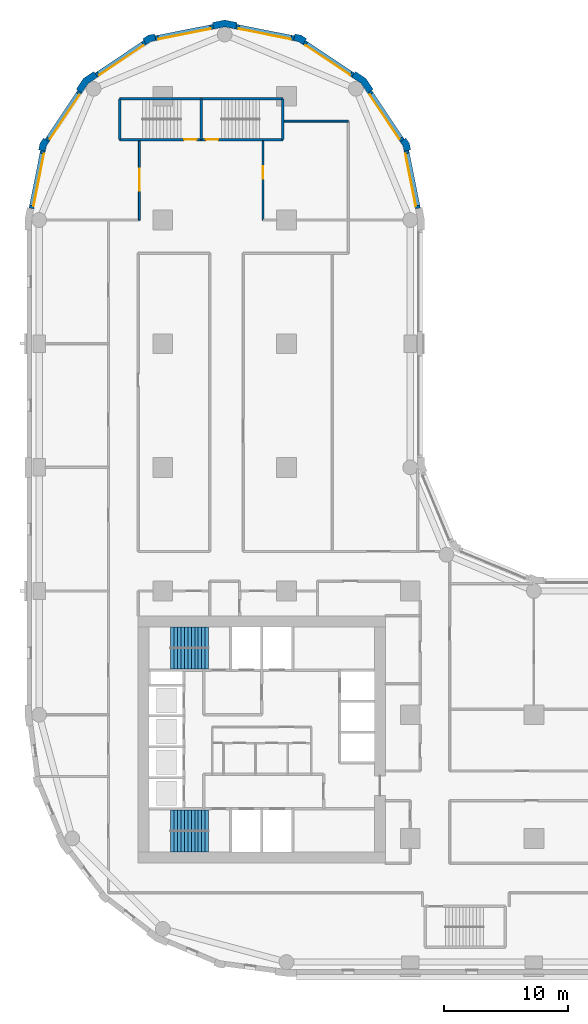
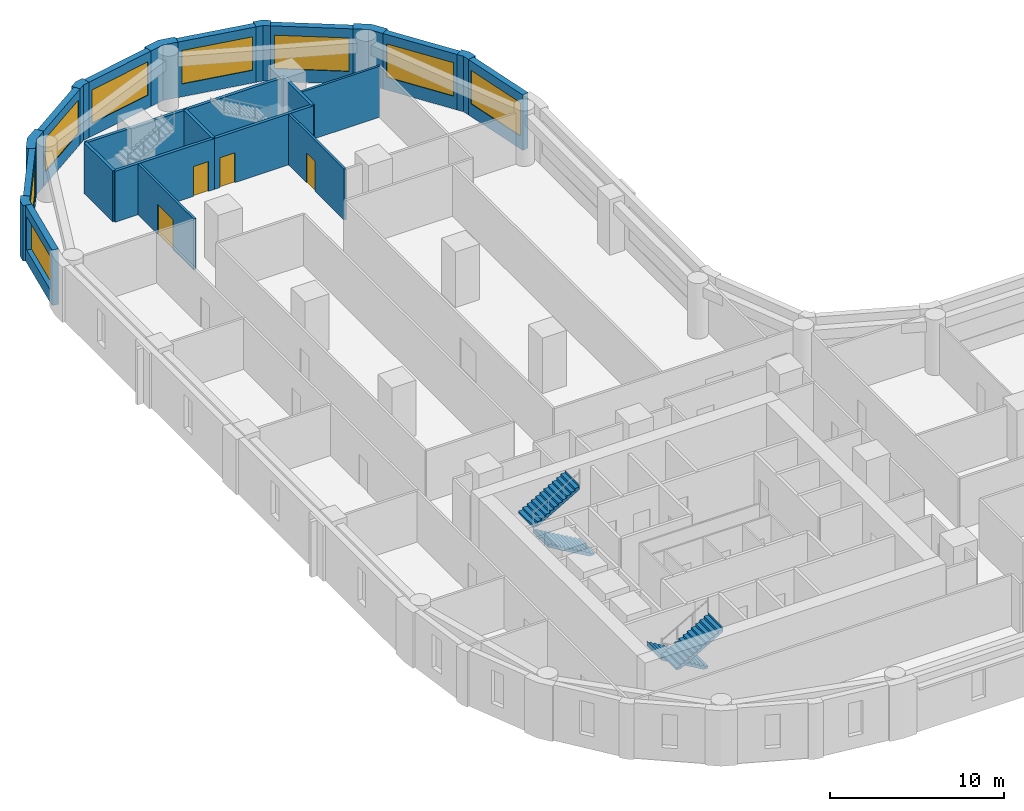
# One storey, part 7 of 10: 25 walls, 8 windows, 4 doors, 4 stair flights, 12 openings, 2 elements without a shape of their own.
"""IFC4 building model written with IfcOpenShell, lengths in metres."""

from ifc_helpers import new_model, si_unit, direction, frame, frame_2d, origin, place, context, subcontext, project, spatial, polyline, rectangle, outline, extrude, material, layer, layer_set, type_object, element, fill, aggregate, save


model = new_model("IFC4")

# Units and contexts
model_context = context("Model", 3, precision=1e-05, world=origin(), true_north=direction((0.0, 1.0)))
body_context = subcontext(model_context, "Body", "Model", "MODEL_VIEW")
ifc_project = project(units=[si_unit("LENGTHUNIT", "METRE"), si_unit("AREAUNIT", "SQUARE_METRE"), si_unit("VOLUMEUNIT", "CUBIC_METRE"), si_unit("PLANEANGLEUNIT", "RADIAN"), si_unit("MASSUNIT", "GRAM", prefix="KILO")], contexts=[model_context])

# Site, building, storey
site_placement = place(None, origin())
site = spatial("IfcSite", under=ifc_project, at=site_placement, CompositionType="ELEMENT")
building_placement = place(site_placement, origin())
building = spatial("IfcBuilding", under=site, at=building_placement, Name="Qaws Garden Tower", CompositionType="ELEMENT")
storey_placement = place(building_placement, frame((0.0, 0.0, 74.39990234375)))
storey = spatial("IfcBuildingStorey", under=building, at=storey_placement, Name="L18", CompositionType="ELEMENT", Elevation=74.39990234375)

# Wall, opening, window
ifc_material_1 = material(Name="Clay facing brick masonry", Category="masonry")
ifc_layer_1 = layer(ifc_material_1, 0.39990234375)
ifc_layer_set_1 = layer_set([ifc_layer_1], Name="Clay facing brick masonry")
wall_type_1 = type_object("IfcWallType", Name="Brick infill wall 400", PredefinedType="SOLIDWALL", material=ifc_layer_set_1)
wall_1_placement = place(storey_placement, frame((30.628662109375, 60.940673828125, 0.0), z_axis=(0.0, 0.0, 1.0), x_axis=(-0.195098533057, 0.98078364709, 0.0)))
wall_1 = element("IfcWall", 1, at=wall_1_placement, inside=storey, type_object=wall_type_1, Name="E-L18-infill-15", PredefinedType="SOLIDWALL", context=body_context, shape_type="SweptSolid", body=[
    extrude(rectangle(XDim=4.752685546875, YDim=0.39990234375, at=frame_2d((2.37646484375, 0.0))), origin(), (0.0, 0.0, 1.0), 3.900146484375),
])
opening_1_placement = place(wall_1_placement, frame((0.226318359375, 0.0, 0.89990234375)))
opening_1 = element("IfcOpeningElement", 2, at=opening_1_placement, cuts=wall_1, Name="Opening W06", PredefinedType="OPENING", context=body_context, shape_type="SweptSolid", body=[
    extrude(rectangle(XDim=4.300048828125, YDim=2.35009765625, at=frame_2d((2.14990234375, 1.175048828125))), frame((0.0, 0.2099609375, 0.0), z_axis=(0.0, -1.0, 0.0), x_axis=(1.0, 0.0, 0.0)), (0.0, 0.0, 1.0), 0.419921875),
])
ifc_material_2 = material(Name="Aluminium framed window, clear glazing", Category="aluminium")
window_type = type_object("IfcWindowType", Name="Ribbon window 4300 x 2350", PartitioningType="DOUBLE_PANEL_VERTICAL", PredefinedType="WINDOW", material=ifc_material_2)
window_1_placement = place(opening_1_placement, origin())
window_1 = element("IfcWindow", 3, at=window_1_placement, inside=storey, type_object=window_type, Name="E-L18-window-15-0", OverallHeight=2.35009765625, OverallWidth=4.300048828125, PartitioningType="SINGLE_PANEL", PredefinedType="WINDOW", context=body_context, shape_type="SweptSolid", body=[
    extrude(rectangle(XDim=4.300048828125, YDim=2.35009765625, at=frame_2d((2.14990234375, 1.175048828125))), frame((0.0, 0.159912109375, 0.0), z_axis=(0.0, -1.0, 0.0), x_axis=(1.0, 0.0, 0.0)), (0.0, 0.0, 1.0), 0.06005859375),
])
fill(opening_1, window_1)

wall_2_placement = place(storey_placement, frame((29.356689453125, 66.43408203125, 0.0), z_axis=(0.0, 0.0, 1.0), x_axis=(-0.555541552266, 0.831488775454, 0.0)))
wall_2 = element("IfcWall", 4, at=wall_2_placement, inside=storey, type_object=wall_type_1, Name="E-L18-infill-16", PredefinedType="SOLIDWALL", context=body_context, shape_type="SweptSolid", body=[
    extrude(rectangle(XDim=4.752685546875, YDim=0.39990234375, at=frame_2d((2.37646484375, 0.0))), origin(), (0.0, 0.0, 1.0), 3.900146484375),
])
opening_2_placement = place(wall_2_placement, frame((0.226318359375, 0.0, 0.89990234375)))
opening_2 = element("IfcOpeningElement", 5, at=opening_2_placement, cuts=wall_2, Name="Opening W06", PredefinedType="OPENING", context=body_context, shape_type="SweptSolid", body=[
    extrude(rectangle(XDim=4.300048828125, YDim=2.35009765625, at=frame_2d((2.14990234375, 1.175048828125))), frame((0.0, 0.2099609375, 0.0), z_axis=(0.0, -1.0, 0.0), x_axis=(1.0, 0.0, 0.0)), (0.0, 0.0, 1.0), 0.419921875),
])
window_2_placement = place(opening_2_placement, origin())
window_2 = element("IfcWindow", 6, at=window_2_placement, inside=storey, type_object=window_type, Name="E-L18-window-16-0", OverallHeight=2.35009765625, OverallWidth=4.300048828125, PartitioningType="SINGLE_PANEL", PredefinedType="WINDOW", context=body_context, shape_type="SweptSolid", body=[
    extrude(rectangle(XDim=4.300048828125, YDim=2.35009765625, at=frame_2d((2.14990234375, 1.175048828125))), frame((0.0, 0.159912109375, 0.0), z_axis=(0.0, -1.0, 0.0), x_axis=(1.0, 0.0, 0.0)), (0.0, 0.0, 1.0), 0.06005859375),
])
fill(opening_2, window_2)

wall_3_placement = place(storey_placement, frame((25.385986328125, 71.71630859375, 0.0), z_axis=(0.0, 0.0, 1.0), x_axis=(-0.831488775454, 0.555541552266, 0.0)))
wall_3 = element("IfcWall", 7, at=wall_3_placement, inside=storey, type_object=wall_type_1, Name="E-L18-infill-17", PredefinedType="SOLIDWALL", context=body_context, shape_type="SweptSolid", body=[
    extrude(rectangle(XDim=4.752685546875, YDim=0.39990234375, at=frame_2d((2.37646484375, 0.0))), origin(), (0.0, 0.0, 1.0), 3.900146484375),
])
opening_3_placement = place(wall_3_placement, frame((0.226318359375, 0.0, 0.89990234375)))
opening_3 = element("IfcOpeningElement", 8, at=opening_3_placement, cuts=wall_3, Name="Opening W06", PredefinedType="OPENING", context=body_context, shape_type="SweptSolid", body=[
    extrude(rectangle(XDim=4.300048828125, YDim=2.35009765625, at=frame_2d((2.14990234375, 1.175048828125))), frame((0.0, 0.2099609375, 0.0), z_axis=(0.0, -1.0, 0.0), x_axis=(1.0, 0.0, 0.0)), (0.0, 0.0, 1.0), 0.419921875),
])
window_3_placement = place(opening_3_placement, origin())
window_3 = element("IfcWindow", 9, at=window_3_placement, inside=storey, type_object=window_type, Name="E-L18-window-17-0", OverallHeight=2.35009765625, OverallWidth=4.300048828125, PartitioningType="SINGLE_PANEL", PredefinedType="WINDOW", context=body_context, shape_type="SweptSolid", body=[
    extrude(rectangle(XDim=4.300048828125, YDim=2.35009765625, at=frame_2d((2.14990234375, 1.175048828125))), frame((0.0, 0.159912109375, 0.0), z_axis=(0.0, -1.0, 0.0), x_axis=(1.0, 0.0, 0.0)), (0.0, 0.0, 1.0), 0.06005859375),
])
fill(opening_3, window_3)

wall_4_placement = place(storey_placement, frame((20.60205078125, 74.701416015625, 0.0), z_axis=(0.0, 0.0, 1.0), x_axis=(-0.98078364709, 0.195098533057, 0.0)))
wall_4 = element("IfcWall", 10, at=wall_4_placement, inside=storey, type_object=wall_type_1, Name="E-L18-infill-18", PredefinedType="SOLIDWALL", context=body_context, shape_type="SweptSolid", body=[
    extrude(rectangle(XDim=4.752685546875, YDim=0.39990234375, at=frame_2d((2.37646484375, 0.0))), origin(), (0.0, 0.0, 1.0), 3.900146484375),
])
opening_4_placement = place(wall_4_placement, frame((0.226318359375, 0.0, 0.89990234375)))
opening_4 = element("IfcOpeningElement", 11, at=opening_4_placement, cuts=wall_4, Name="Opening W06", PredefinedType="OPENING", context=body_context, shape_type="SweptSolid", body=[
    extrude(rectangle(XDim=4.300048828125, YDim=2.35009765625, at=frame_2d((2.14990234375, 1.175048828125))), frame((0.0, 0.2099609375, 0.0), z_axis=(0.0, -1.0, 0.0), x_axis=(1.0, 0.0, 0.0)), (0.0, 0.0, 1.0), 0.419921875),
])
window_4_placement = place(opening_4_placement, origin())
window_4 = element("IfcWindow", 12, at=window_4_placement, inside=storey, type_object=window_type, Name="E-L18-window-18-0", OverallHeight=2.35009765625, OverallWidth=4.300048828125, PartitioningType="SINGLE_PANEL", PredefinedType="WINDOW", context=body_context, shape_type="SweptSolid", body=[
    extrude(rectangle(XDim=4.300048828125, YDim=2.35009765625, at=frame_2d((2.14990234375, 1.175048828125))), frame((0.0, 0.159912109375, 0.0), z_axis=(0.0, -1.0, 0.0), x_axis=(1.0, 0.0, 0.0)), (0.0, 0.0, 1.0), 0.06005859375),
])
fill(opening_4, window_4)

wall_5_placement = place(storey_placement, frame((14.059326171875, 75.628662109375, 0.0), z_axis=(0.0, 0.0, 1.0), x_axis=(-0.98078364709, -0.195098533057, 0.0)))
wall_5 = element("IfcWall", 13, at=wall_5_placement, inside=storey, type_object=wall_type_1, Name="E-L18-infill-19", PredefinedType="SOLIDWALL", context=body_context, shape_type="SweptSolid", body=[
    extrude(rectangle(XDim=4.752685546875, YDim=0.39990234375, at=frame_2d((2.37646484375, 0.0))), origin(), (0.0, 0.0, 1.0), 3.900146484375),
])
opening_5_placement = place(wall_5_placement, frame((0.226318359375, 0.0, 0.89990234375)))
opening_5 = element("IfcOpeningElement", 14, at=opening_5_placement, cuts=wall_5, Name="Opening W06", PredefinedType="OPENING", context=body_context, shape_type="SweptSolid", body=[
    extrude(rectangle(XDim=4.300048828125, YDim=2.35009765625, at=frame_2d((2.14990234375, 1.175048828125))), frame((0.0, 0.2099609375, 0.0), z_axis=(0.0, -1.0, 0.0), x_axis=(1.0, 0.0, 0.0)), (0.0, 0.0, 1.0), 0.419921875),
])
window_5_placement = place(opening_5_placement, origin())
window_5 = element("IfcWindow", 15, at=window_5_placement, inside=storey, type_object=window_type, Name="E-L18-window-19-0", OverallHeight=2.35009765625, OverallWidth=4.300048828125, PartitioningType="SINGLE_PANEL", PredefinedType="WINDOW", context=body_context, shape_type="SweptSolid", body=[
    extrude(rectangle(XDim=4.300048828125, YDim=2.35009765625, at=frame_2d((2.14990234375, 1.175048828125))), frame((0.0, 0.159912109375, 0.0), z_axis=(0.0, -1.0, 0.0), x_axis=(1.0, 0.0, 0.0)), (0.0, 0.0, 1.0), 0.06005859375),
])
fill(opening_5, window_5)

wall_6_placement = place(storey_placement, frame((8.56591796875, 74.356689453125, 0.0), z_axis=(0.0, 0.0, 1.0), x_axis=(-0.831488775454, -0.555541552266, 0.0)))
wall_6 = element("IfcWall", 16, at=wall_6_placement, inside=storey, type_object=wall_type_1, Name="E-L18-infill-20", PredefinedType="SOLIDWALL", context=body_context, shape_type="SweptSolid", body=[
    extrude(rectangle(XDim=4.752685546875, YDim=0.39990234375, at=frame_2d((2.37646484375, 0.0))), origin(), (0.0, 0.0, 1.0), 3.900146484375),
])
opening_6_placement = place(wall_6_placement, frame((0.226318359375, 0.0, 0.89990234375)))
opening_6 = element("IfcOpeningElement", 17, at=opening_6_placement, cuts=wall_6, Name="Opening W06", PredefinedType="OPENING", context=body_context, shape_type="SweptSolid", body=[
    extrude(rectangle(XDim=4.300048828125, YDim=2.35009765625, at=frame_2d((2.14990234375, 1.175048828125))), frame((0.0, 0.2099609375, 0.0), z_axis=(0.0, -1.0, 0.0), x_axis=(1.0, 0.0, 0.0)), (0.0, 0.0, 1.0), 0.419921875),
])
window_6_placement = place(opening_6_placement, origin())
window_6 = element("IfcWindow", 18, at=window_6_placement, inside=storey, type_object=window_type, Name="E-L18-window-20-0", OverallHeight=2.35009765625, OverallWidth=4.300048828125, PartitioningType="SINGLE_PANEL", PredefinedType="WINDOW", context=body_context, shape_type="SweptSolid", body=[
    extrude(rectangle(XDim=4.300048828125, YDim=2.35009765625, at=frame_2d((2.14990234375, 1.175048828125))), frame((0.0, 0.159912109375, 0.0), z_axis=(0.0, -1.0, 0.0), x_axis=(1.0, 0.0, 0.0)), (0.0, 0.0, 1.0), 0.06005859375),
])
fill(opening_6, window_6)

wall_7_placement = place(storey_placement, frame((3.28369140625, 70.385986328125, 0.0), z_axis=(0.0, 0.0, 1.0), x_axis=(-0.555541552266, -0.831488775454, 0.0)))
wall_7 = element("IfcWall", 19, at=wall_7_placement, inside=storey, type_object=wall_type_1, Name="E-L18-infill-21", PredefinedType="SOLIDWALL", context=body_context, shape_type="SweptSolid", body=[
    extrude(rectangle(XDim=4.752685546875, YDim=0.39990234375, at=frame_2d((2.37646484375, 0.0))), origin(), (0.0, 0.0, 1.0), 3.900146484375),
])
opening_7_placement = place(wall_7_placement, frame((0.226318359375, 0.0, 0.89990234375)))
opening_7 = element("IfcOpeningElement", 20, at=opening_7_placement, cuts=wall_7, Name="Opening W06", PredefinedType="OPENING", context=body_context, shape_type="SweptSolid", body=[
    extrude(rectangle(XDim=4.300048828125, YDim=2.35009765625, at=frame_2d((2.14990234375, 1.175048828125))), frame((0.0, 0.2099609375, 0.0), z_axis=(0.0, -1.0, 0.0), x_axis=(1.0, 0.0, 0.0)), (0.0, 0.0, 1.0), 0.419921875),
])
window_7_placement = place(opening_7_placement, origin())
window_7 = element("IfcWindow", 21, at=window_7_placement, inside=storey, type_object=window_type, Name="E-L18-window-21-0", OverallHeight=2.35009765625, OverallWidth=4.300048828125, PartitioningType="SINGLE_PANEL", PredefinedType="WINDOW", context=body_context, shape_type="SweptSolid", body=[
    extrude(rectangle(XDim=4.300048828125, YDim=2.35009765625, at=frame_2d((2.14990234375, 1.175048828125))), frame((0.0, 0.159912109375, 0.0), z_axis=(0.0, -1.0, 0.0), x_axis=(1.0, 0.0, 0.0)), (0.0, 0.0, 1.0), 0.06005859375),
])
fill(opening_7, window_7)

wall_8_placement = place(storey_placement, frame((0.298583984375, 65.60205078125, 0.0), z_axis=(0.0, 0.0, 1.0), x_axis=(-0.195098533057, -0.98078364709, 0.0)))
wall_8 = element("IfcWall", 22, at=wall_8_placement, inside=storey, type_object=wall_type_1, Name="E-L18-infill-22", PredefinedType="SOLIDWALL", context=body_context, shape_type="SweptSolid", body=[
    extrude(rectangle(XDim=4.752685546875, YDim=0.39990234375, at=frame_2d((2.37646484375, 0.0))), origin(), (0.0, 0.0, 1.0), 3.900146484375),
])
opening_8_placement = place(wall_8_placement, frame((0.226318359375, 0.0, 0.89990234375)))
opening_8 = element("IfcOpeningElement", 23, at=opening_8_placement, cuts=wall_8, Name="Opening W06", PredefinedType="OPENING", context=body_context, shape_type="SweptSolid", body=[
    extrude(rectangle(XDim=4.300048828125, YDim=2.35009765625, at=frame_2d((2.14990234375, 1.175048828125))), frame((0.0, 0.2099609375, 0.0), z_axis=(0.0, -1.0, 0.0), x_axis=(1.0, 0.0, 0.0)), (0.0, 0.0, 1.0), 0.419921875),
])
window_8_placement = place(opening_8_placement, origin())
window_8 = element("IfcWindow", 24, at=window_8_placement, inside=storey, type_object=window_type, Name="E-L18-window-22-0", OverallHeight=2.35009765625, OverallWidth=4.300048828125, PartitioningType="SINGLE_PANEL", PredefinedType="WINDOW", context=body_context, shape_type="SweptSolid", body=[
    extrude(rectangle(XDim=4.300048828125, YDim=2.35009765625, at=frame_2d((2.14990234375, 1.175048828125))), frame((0.0, 0.159912109375, 0.0), z_axis=(0.0, -1.0, 0.0), x_axis=(1.0, 0.0, 0.0)), (0.0, 0.0, 1.0), 0.06005859375),
])
fill(opening_8, window_8)

# Walls
ifc_material_3 = material(Name="Clay facing brick masonry", Category="masonry")
ifc_layer_2 = layer(ifc_material_3, 0.550048828125)
ifc_layer_set_2 = layer_set([ifc_layer_2], Name="Clay facing brick masonry")
wall_type_2 = type_object("IfcWallType", Name="Brick kink pier 550 x 600", PredefinedType="SOLIDWALL", material=ifc_layer_set_2)
placement = place(storey_placement, origin())
element("IfcWall", 25, at=placement, inside=storey, type_object=wall_type_2, Name="E-L18-pier-16", PredefinedType="SOLIDWALL", context=body_context, shape_type="SweptSolid", body=[
    extrude(outline(polyline([(29.8974609375, 65.64111328125), (30.044677734375, 65.67041015625), (29.94140625, 66.18896484375), (29.647705078125, 66.628662109375), (29.52294921875, 66.545166015625), (29.1904296875, 66.322998046875), (29.42333984375, 65.974365234375), (29.505126953125, 65.56298828125), (29.8974609375, 65.64111328125)])), origin(), (0.0, 0.0, 1.0), 3.900146484375),
])
element("IfcWall", 26, at=placement, inside=storey, type_object=wall_type_2, Name="E-L18-pier-18", PredefinedType="SOLIDWALL", context=body_context, shape_type="SweptSolid", body=[
    extrude(outline(polyline([(21.545166015625, 74.52294921875), (21.628662109375, 74.647705078125), (21.18896484375, 74.94140625), (20.67041015625, 75.044677734375), (20.64111328125, 74.8974609375), (20.56298828125, 74.505126953125), (20.974365234375, 74.42333984375), (21.322998046875, 74.1904296875), (21.545166015625, 74.52294921875)])), origin(), (0.0, 0.0, 1.0), 3.900146484375),
])
element("IfcWall", 27, at=placement, inside=storey, type_object=wall_type_2, Name="E-L18-pier-20", PredefinedType="SOLIDWALL", context=body_context, shape_type="SweptSolid", body=[
    extrude(outline(polyline([(9.35888671875, 74.8974609375), (9.32958984375, 75.044677734375), (8.81103515625, 74.94140625), (8.371337890625, 74.647705078125), (8.454833984375, 74.52294921875), (8.677001953125, 74.1904296875), (9.025634765625, 74.42333984375), (9.43701171875, 74.505126953125), (9.35888671875, 74.8974609375)])), origin(), (0.0, 0.0, 1.0), 3.900146484375),
])
element("IfcWall", 28, at=placement, inside=storey, type_object=wall_type_2, Name="E-L18-pier-22", PredefinedType="SOLIDWALL", context=body_context, shape_type="SweptSolid", body=[
    extrude(outline(polyline([(0.47705078125, 66.545166015625), (0.352294921875, 66.628662109375), (0.05859375, 66.18896484375), (-0.044677734375, 65.67041015625), (0.1025390625, 65.64111328125), (0.494873046875, 65.56298828125), (0.57666015625, 65.974365234375), (0.8095703125, 66.322998046875), (0.47705078125, 66.545166015625)])), origin(), (0.0, 0.0, 1.0), 3.900146484375),
])
ifc_material_4 = material(Name="Clay facing brick masonry", Category="masonry")
ifc_layer_3 = layer(ifc_material_4, 0.550048828125)
ifc_layer_set_3 = layer_set([ifc_layer_3], Name="Clay facing brick masonry")
wall_type_3 = type_object("IfcWallType", Name="Brick pier 550 x 1600", PredefinedType="SOLIDWALL", material=ifc_layer_set_3)
element("IfcWall", 29, at=placement, inside=storey, type_object=wall_type_3, Name="E-L18-pier-17", PredefinedType="SOLIDWALL", context=body_context, shape_type="SweptSolid", body=[
    extrude(outline(polyline([(26.882568359375, 70.4970703125), (27.00732421875, 70.580322265625), (26.435791015625, 71.435791015625), (25.580322265625, 72.00732421875), (25.4970703125, 71.882568359375), (25.274658203125, 71.550048828125), (26.0390625, 71.0390625), (26.550048828125, 70.274658203125), (26.882568359375, 70.4970703125)])), origin(), (0.0, 0.0, 1.0), 3.900146484375),
])
element("IfcWall", 30, at=placement, inside=storey, type_object=wall_type_3, Name="E-L18-pier-19", PredefinedType="SOLIDWALL", context=body_context, shape_type="SweptSolid", body=[
    extrude(outline(polyline([(15.979736328125, 75.82470703125), (16.009033203125, 75.971923828125), (15.0, 76.172607421875), (13.990966796875, 75.971923828125), (14.020263671875, 75.82470703125), (14.098388671875, 75.432373046875), (15.0, 75.61181640625), (15.901611328125, 75.432373046875), (15.979736328125, 75.82470703125)])), origin(), (0.0, 0.0, 1.0), 3.900146484375),
])
element("IfcWall", 31, at=placement, inside=storey, type_object=wall_type_3, Name="E-L18-pier-21", PredefinedType="SOLIDWALL", context=body_context, shape_type="SweptSolid", body=[
    extrude(outline(polyline([(4.5029296875, 71.882568359375), (4.419677734375, 72.00732421875), (3.564208984375, 71.435791015625), (2.99267578125, 70.580322265625), (3.117431640625, 70.4970703125), (3.449951171875, 70.274658203125), (3.9609375, 71.0390625), (4.725341796875, 71.550048828125), (4.5029296875, 71.882568359375)])), origin(), (0.0, 0.0, 1.0), 3.900146484375),
])

# Wall, opening, door
ifc_material_5 = material(Name="Concrete C80", Category="concrete")
ifc_layer_4 = layer(ifc_material_5, 0.199951171875)
ifc_layer_set_4 = layer_set([ifc_layer_4], Name="Concrete C80")
wall_type_4 = type_object("IfcWallType", Name="Core shaft wall 200 C80", PredefinedType="SHEAR", material=ifc_layer_set_4)
wall_16_placement = place(storey_placement, frame((6.5, 66.5, 0.0), z_axis=(0.0, 0.0, 1.0), x_axis=(1.0, 0.0, 0.0)))
wall_16 = element("IfcWall", 32, at=wall_16_placement, inside=storey, type_object=wall_type_4, Name="Shaft wall", PredefinedType="SHEAR", context=body_context, shape_type="SweptSolid", body=[
    extrude(rectangle(XDim=6.60009765625, YDim=0.199951171875, at=frame_2d((3.300048828125, 0.0))), origin(), (0.0, 0.0, 1.0), 3.580078125),
])
opening_9_placement = place(wall_16_placement, frame((5.22509765625, 0.0, 0.0)))
opening_9 = element("IfcOpeningElement", 33, at=opening_9_placement, cuts=wall_16, Name="Opening SD13", PredefinedType="OPENING", context=body_context, shape_type="SweptSolid", body=[
    extrude(rectangle(XDim=1.0, YDim=2.10009765625, at=frame_2d((0.5, 1.050048828125))), frame((0.0, 0.10986328125, 0.0), z_axis=(0.0, -1.0, 0.0), x_axis=(1.0, 0.0, 0.0)), (0.0, 0.0, 1.0), 0.219970703125),
])
ifc_material_6 = material(Name="Steel S235", Category="steel")
door_type_1 = type_object("IfcDoorType", Name="Stair door 1000x2100", OperationType="SINGLE_SWING_RIGHT", PredefinedType="DOOR", material=ifc_material_6)
door_1_placement = place(opening_9_placement, origin())
door_1 = element("IfcDoor", 34, at=door_1_placement, inside=storey, type_object=door_type_1, Name="Stair 6 door", OperationType="SINGLE_SWING_RIGHT", OverallHeight=2.10009765625, OverallWidth=1.0, PredefinedType="DOOR", context=body_context, shape_type="SweptSolid", body=[
    extrude(rectangle(XDim=1.0, YDim=2.10009765625, at=frame_2d((0.5, 1.050048828125))), frame((0.0, 0.02490234375, 0.0), z_axis=(0.0, -1.0, 0.0), x_axis=(1.0, 0.0, 0.0)), (0.0, 0.0, 1.0), 0.050048828125),
])
fill(opening_9, door_1)

wall_17_placement = place(storey_placement, frame((13.10009765625, 66.5, 0.0), z_axis=(0.0, 0.0, 1.0), x_axis=(1.0, 0.0, 0.0)))
wall_17 = element("IfcWall", 35, at=wall_17_placement, inside=storey, type_object=wall_type_4, Name="Shaft wall", PredefinedType="SHEAR", context=body_context, shape_type="SweptSolid", body=[
    extrude(rectangle(XDim=6.599853515625, YDim=0.199951171875, at=frame_2d((3.2998046875, 0.0))), origin(), (0.0, 0.0, 1.0), 3.580078125),
])
opening_10_placement = place(wall_17_placement, frame((0.375, 0.0, 0.0)))
opening_10 = element("IfcOpeningElement", 36, at=opening_10_placement, cuts=wall_17, Name="Opening SD14", PredefinedType="OPENING", context=body_context, shape_type="SweptSolid", body=[
    extrude(rectangle(XDim=1.0, YDim=2.10009765625, at=frame_2d((0.5, 1.050048828125))), frame((0.0, 0.10986328125, 0.0), z_axis=(0.0, -1.0, 0.0), x_axis=(1.0, 0.0, 0.0)), (0.0, 0.0, 1.0), 0.219970703125),
])
door_2_placement = place(opening_10_placement, origin())
door_2 = element("IfcDoor", 37, at=door_2_placement, inside=storey, type_object=door_type_1, Name="Stair 7 door", OperationType="SINGLE_SWING_LEFT", OverallHeight=2.10009765625, OverallWidth=1.0, PredefinedType="DOOR", context=body_context, shape_type="SweptSolid", body=[
    extrude(rectangle(XDim=1.0, YDim=2.10009765625, at=frame_2d((0.5, 1.050048828125))), frame((0.0, 0.02490234375, 0.0), z_axis=(0.0, -1.0, 0.0), x_axis=(1.0, 0.0, 0.0)), (0.0, 0.0, 1.0), 0.050048828125),
])
fill(opening_10, door_2)

# Walls
wall_18_placement = place(storey_placement, frame((6.5, 69.800048828125, 0.0), z_axis=(0.0, 0.0, 1.0), x_axis=(1.0, 0.0, 0.0)))
element("IfcWall", 38, at=wall_18_placement, inside=storey, type_object=wall_type_4, Name="Shaft wall", PredefinedType="SHEAR", context=body_context, shape_type="SweptSolid", body=[
    extrude(rectangle(XDim=6.60009765625, YDim=0.199951171875, at=frame_2d((3.300048828125, 0.0))), origin(), (0.0, 0.0, 1.0), 3.580078125),
])
wall_19_placement = place(storey_placement, frame((13.10009765625, 69.800048828125, 0.0), z_axis=(0.0, 0.0, 1.0), x_axis=(1.0, 0.0, 0.0)))
element("IfcWall", 39, at=wall_19_placement, inside=storey, type_object=wall_type_4, Name="Shaft wall", PredefinedType="SHEAR", context=body_context, shape_type="SweptSolid", body=[
    extrude(rectangle(XDim=6.599853515625, YDim=0.199951171875, at=frame_2d((3.2998046875, 0.0))), origin(), (0.0, 0.0, 1.0), 3.580078125),
])
for number, where, z_axis, x_axis, name in (
    (40, (6.5, 66.5, 0.0), (0.0, 0.0, 1.0), (0.0, 1.0, 0.0), "Shaft wall"),
    (41, (13.10009765625, 66.5, 0.0), (0.0, 0.0, 1.0), (0.0, 1.0, 0.0), "Shaft wall"),
    (42, (19.699951171875, 66.5, 0.0), (0.0, 0.0, 1.0), (0.0, 1.0, 0.0), "Shaft wall"),
):
    element("IfcWall", number, at=place(storey_placement, frame(where, z_axis=z_axis, x_axis=x_axis)), inside=storey, type_object=wall_type_4, Name=name, PredefinedType="SHEAR", context=body_context, shape_type="SweptSolid", body=[
        extrude(rectangle(XDim=3.300048828125, YDim=0.199951171875, at=frame_2d((1.64990234375, 0.0))), origin(), (0.0, 0.0, 1.0), 3.580078125),
    ])

# Wall, opening, door
ifc_material_7 = material(Name="Gypsum board partition")
ifc_layer_5 = layer(ifc_material_7, 0.14990234375)
ifc_layer_set_5 = layer_set([ifc_layer_5], Name="Gypsum board partition")
wall_type_5 = type_object("IfcWallType", Name="PARTITION 150 EI 60", PredefinedType="PARTITIONING", material=ifc_layer_set_5)
wall_20_placement = place(storey_placement, frame((8.10009765625, 60.0, 0.0), z_axis=(0.0, 0.0, 1.0), x_axis=(0.0, 1.0, 0.0)))
wall_20 = element("IfcWall", 43, at=wall_20_placement, inside=storey, type_object=wall_type_5, Name="O-L18-wall-007", PredefinedType="PARTITIONING", context=body_context, shape_type="SweptSolid", body=[
    extrude(rectangle(XDim=6.39990234375, YDim=0.14990234375, at=frame_2d((3.199951171875, 0.0))), origin(), (0.0, 0.0, 1.0), 3.580078125),
])
opening_11_placement = place(wall_20_placement, frame((2.35009765625, 0.0, 0.0)))
opening_11 = element("IfcOpeningElement", 44, at=opening_11_placement, cuts=wall_20, Name="Opening A616", PredefinedType="OPENING", context=body_context, shape_type="SweptSolid", body=[
    extrude(rectangle(XDim=1.800048828125, YDim=2.10009765625, at=frame_2d((0.89990234375, 1.050048828125))), frame((0.0, 0.0849609375, 0.0), z_axis=(0.0, -1.0, 0.0), x_axis=(1.0, 0.0, 0.0)), (0.0, 0.0, 1.0), 0.169921875),
])
ifc_material_8 = material(Name="Timber door leaf", Category="wood")
door_type_2 = type_object("IfcDoorType", Name="DOUBLE DOOR 1800 X 2100", OperationType="DOUBLE_DOOR_SINGLE_SWING", PredefinedType="DOOR", material=ifc_material_8)
door_3_placement = place(opening_11_placement, origin())
door_3 = element("IfcDoor", 45, at=door_3_placement, inside=storey, type_object=door_type_2, Name="O-L18-door-016", OperationType="DOUBLE_DOOR_SINGLE_SWING", OverallHeight=2.10009765625, OverallWidth=1.800048828125, PredefinedType="DOOR", context=body_context, shape_type="SweptSolid", body=[
    extrude(rectangle(XDim=1.800048828125, YDim=2.10009765625, at=frame_2d((0.89990234375, 1.050048828125))), frame((0.0, 0.02490234375, 0.0), z_axis=(0.0, -1.0, 0.0), x_axis=(1.0, 0.0, 0.0)), (0.0, 0.0, 1.0), 0.050048828125),
])
fill(opening_11, door_3)

wall_21_placement = place(storey_placement, frame((18.10009765625, 60.0, 0.0), z_axis=(0.0, 0.0, 1.0), x_axis=(0.0, 1.0, 0.0)))
wall_21 = element("IfcWall", 46, at=wall_21_placement, inside=storey, type_object=wall_type_5, Name="O-L18-wall-012", PredefinedType="PARTITIONING", context=body_context, shape_type="SweptSolid", body=[
    extrude(rectangle(XDim=6.39990234375, YDim=0.14990234375, at=frame_2d((3.199951171875, 0.0))), origin(), (0.0, 0.0, 1.0), 3.580078125),
])
opening_12_placement = place(wall_21_placement, frame((3.35009765625, 0.0, 0.0)))
opening_12 = element("IfcOpeningElement", 47, at=opening_12_placement, cuts=wall_21, Name="Opening A617", PredefinedType="OPENING", context=body_context, shape_type="SweptSolid", body=[
    extrude(rectangle(XDim=1.0, YDim=2.10009765625, at=frame_2d((0.5, 1.050048828125))), frame((0.0, 0.0849609375, 0.0), z_axis=(0.0, -1.0, 0.0), x_axis=(1.0, 0.0, 0.0)), (0.0, 0.0, 1.0), 0.169921875),
])
ifc_material_9 = material(Name="Timber door leaf", Category="wood")
door_type_3 = type_object("IfcDoorType", Name="TENANCY ENTRANCE DOOR 1000 X 2100", OperationType="SINGLE_SWING_LEFT", PredefinedType="DOOR", material=ifc_material_9)
door_4_placement = place(opening_12_placement, frame((1.0, 0.0, 0.0), z_axis=(0.0, 0.0, 1.0), x_axis=(-1.0, 0.0, 0.0)))
door_4 = element("IfcDoor", 48, at=door_4_placement, inside=storey, type_object=door_type_3, Name="O-L18-door-017", OperationType="SINGLE_SWING_RIGHT", OverallHeight=2.10009765625, OverallWidth=1.0, PredefinedType="DOOR", context=body_context, shape_type="SweptSolid", body=[
    extrude(rectangle(XDim=1.0, YDim=2.10009765625, at=frame_2d((0.5, 1.050048828125))), frame((0.0, 0.02490234375, 0.0), z_axis=(0.0, -1.0, 0.0), x_axis=(1.0, 0.0, 0.0)), (0.0, 0.0, 1.0), 0.050048828125),
])
fill(opening_12, door_4)

# Wall
wall_22_placement = place(storey_placement, frame((19.800048828125, 68.0, 0.0), z_axis=(0.0, 0.0, 1.0), x_axis=(1.0, 0.0, 0.0)))
element("IfcWall", 49, at=wall_22_placement, inside=storey, type_object=wall_type_5, Name="O-L18-wall-065", PredefinedType="PARTITIONING", context=body_context, shape_type="SweptSolid", body=[
    extrude(rectangle(XDim=5.199951171875, YDim=0.14990234375, at=frame_2d((2.60009765625, 0.0))), origin(), (0.0, 0.0, 1.0), 3.580078125),
])

# Stair, stair flights
ifc_material_10 = material(Name="Concrete C40", Category="concrete")
stair_type = type_object("IfcStairType", Name="Exit stair 1500", PredefinedType="HALF_TURN_STAIR", material=ifc_material_10)
stair_1 = element("IfcStair", 50, at=placement, inside=storey, type_object=stair_type, Name="Stair 1", PredefinedType="HALF_TURN_STAIR")
ifc_material_11 = material(Name="Concrete C40", Category="concrete")
stair_flight_type = type_object("IfcStairFlightType", Name="Stair flight 1500", PredefinedType="STRAIGHT", material=ifc_material_11)
stair_flight_1_placement = place(storey_placement, frame((13.699951171875, 11.449951171875, 0.0), z_axis=(0.0, 0.0, 1.0), x_axis=(-1.0, 0.0, 0.0)))
stair_flight_1 = element("IfcStairFlight", 51, at=stair_flight_1_placement, type_object=stair_flight_type, Name="ST1 flight 1", NumberOfRisers=12, NumberOfTreads=11, PredefinedType="STRAIGHT", RiserHeight=0.1625, TreadLength=0.28, context=body_context, shape_type="SweptSolid", body=[
    extrude(outline(polyline([(-0.0029296875, 0.0), (-0.0029296875, 0.16259765625), (0.0, 0.16259765625), (0.280029296875, 0.16259765625), (0.280029296875, 0.324951171875), (0.56005859375, 0.324951171875), (0.56005859375, 0.487548828125), (0.840087890625, 0.487548828125), (0.840087890625, 0.64990234375), (1.1201171875, 0.64990234375), (1.1201171875, 0.8125), (1.39990234375, 0.8125), (1.39990234375, 0.97509765625), (1.679931640625, 0.97509765625), (1.679931640625, 1.137451171875), (1.9599609375, 1.137451171875), (1.9599609375, 1.300048828125), (2.239990234375, 1.300048828125), (2.239990234375, 1.46240234375), (2.52001953125, 1.46240234375), (2.52001953125, 1.625), (2.800048828125, 1.625), (2.800048828125, 1.78759765625), (3.080078125, 1.78759765625), (3.080078125, 1.949951171875), (3.0830078125, 1.949951171875), (3.0830078125, 1.6142578125), (3.080078125, 1.6142578125), (0.298583984375, 0.0), (-0.0029296875, 0.0)])), frame((0.0, 0.85009765625, 0.0), z_axis=(0.0, -1.0, 0.0), x_axis=(1.0, 0.0, 0.0)), (0.0, 0.0, 1.0), 1.699951171875),
])
stair_flight_2_placement = place(storey_placement, frame((10.6201171875, 9.75, 1.9501953125), z_axis=(0.0, 0.0, 1.0), x_axis=(1.0, 0.0, 0.0)))
stair_flight_2 = element("IfcStairFlight", 52, at=stair_flight_2_placement, type_object=stair_flight_type, Name="ST1 flight 2", NumberOfRisers=12, NumberOfTreads=11, PredefinedType="STRAIGHT", RiserHeight=0.1625, TreadLength=0.28, context=body_context, shape_type="SweptSolid", body=[
    extrude(outline(polyline([(-0.0029296875, 0.0), (-0.0029296875, 0.16259765625), (0.0, 0.16259765625), (0.280029296875, 0.16259765625), (0.280029296875, 0.324951171875), (0.56005859375, 0.324951171875), (0.56005859375, 0.487548828125), (0.840087890625, 0.487548828125), (0.840087890625, 0.64990234375), (1.1201171875, 0.64990234375), (1.1201171875, 0.8125), (1.39990234375, 0.8125), (1.39990234375, 0.97509765625), (1.679931640625, 0.97509765625), (1.679931640625, 1.137451171875), (1.9599609375, 1.137451171875), (1.9599609375, 1.300048828125), (2.239990234375, 1.300048828125), (2.239990234375, 1.46240234375), (2.52001953125, 1.46240234375), (2.52001953125, 1.625), (2.800048828125, 1.625), (2.800048828125, 1.78759765625), (3.080078125, 1.78759765625), (3.080078125, 1.949951171875), (3.0830078125, 1.949951171875), (3.0830078125, 1.6142578125), (3.080078125, 1.6142578125), (0.298583984375, 0.0), (-0.0029296875, 0.0)])), frame((0.0, 0.85009765625, 0.0), z_axis=(0.0, -1.0, 0.0), x_axis=(1.0, 0.0, 0.0)), (0.0, 0.0, 1.0), 1.699951171875),
])
aggregate(stair_1, [stair_flight_1, stair_flight_2])

stair_2 = element("IfcStair", 53, at=placement, inside=storey, type_object=stair_type, Name="Stair 4", PredefinedType="HALF_TURN_STAIR")
stair_flight_3_placement = place(storey_placement, frame((13.699951171875, 24.550048828125, 0.0), z_axis=(0.0, 0.0, 1.0), x_axis=(-1.0, 0.0, 0.0)))
stair_flight_3 = element("IfcStairFlight", 54, at=stair_flight_3_placement, type_object=stair_flight_type, Name="ST4 flight 1", NumberOfRisers=12, NumberOfTreads=11, PredefinedType="STRAIGHT", RiserHeight=0.1625, TreadLength=0.28, context=body_context, shape_type="SweptSolid", body=[
    extrude(outline(polyline([(-0.0029296875, 0.0), (-0.0029296875, 0.16259765625), (0.0, 0.16259765625), (0.280029296875, 0.16259765625), (0.280029296875, 0.324951171875), (0.56005859375, 0.324951171875), (0.56005859375, 0.487548828125), (0.840087890625, 0.487548828125), (0.840087890625, 0.64990234375), (1.1201171875, 0.64990234375), (1.1201171875, 0.8125), (1.39990234375, 0.8125), (1.39990234375, 0.97509765625), (1.679931640625, 0.97509765625), (1.679931640625, 1.137451171875), (1.9599609375, 1.137451171875), (1.9599609375, 1.300048828125), (2.239990234375, 1.300048828125), (2.239990234375, 1.46240234375), (2.52001953125, 1.46240234375), (2.52001953125, 1.625), (2.800048828125, 1.625), (2.800048828125, 1.78759765625), (3.080078125, 1.78759765625), (3.080078125, 1.949951171875), (3.0830078125, 1.949951171875), (3.0830078125, 1.6142578125), (3.080078125, 1.6142578125), (0.298583984375, 0.0), (-0.0029296875, 0.0)])), frame((0.0, 0.844970703125, 0.0), z_axis=(0.0, -1.0, 0.0), x_axis=(1.0, 0.0, 0.0)), (0.0, 0.0, 1.0), 1.68994140625),
])
stair_flight_4_placement = place(storey_placement, frame((10.6201171875, 26.25, 1.9501953125), z_axis=(0.0, 0.0, 1.0), x_axis=(1.0, 0.0, 0.0)))
stair_flight_4 = element("IfcStairFlight", 55, at=stair_flight_4_placement, type_object=stair_flight_type, Name="ST4 flight 2", NumberOfRisers=12, NumberOfTreads=11, PredefinedType="STRAIGHT", RiserHeight=0.1625, TreadLength=0.28, context=body_context, shape_type="SweptSolid", body=[
    extrude(outline(polyline([(-0.0029296875, 0.0), (-0.0029296875, 0.16259765625), (0.0, 0.16259765625), (0.280029296875, 0.16259765625), (0.280029296875, 0.324951171875), (0.56005859375, 0.324951171875), (0.56005859375, 0.487548828125), (0.840087890625, 0.487548828125), (0.840087890625, 0.64990234375), (1.1201171875, 0.64990234375), (1.1201171875, 0.8125), (1.39990234375, 0.8125), (1.39990234375, 0.97509765625), (1.679931640625, 0.97509765625), (1.679931640625, 1.137451171875), (1.9599609375, 1.137451171875), (1.9599609375, 1.300048828125), (2.239990234375, 1.300048828125), (2.239990234375, 1.46240234375), (2.52001953125, 1.46240234375), (2.52001953125, 1.625), (2.800048828125, 1.625), (2.800048828125, 1.78759765625), (3.080078125, 1.78759765625), (3.080078125, 1.949951171875), (3.0830078125, 1.949951171875), (3.0830078125, 1.6142578125), (3.080078125, 1.6142578125), (0.298583984375, 0.0), (-0.0029296875, 0.0)])), frame((0.0, 0.844970703125, 0.0), z_axis=(0.0, -1.0, 0.0), x_axis=(1.0, 0.0, 0.0)), (0.0, 0.0, 1.0), 1.68994140625),
])
aggregate(stair_2, [stair_flight_3, stair_flight_4])

save(model, "model.ifc")
